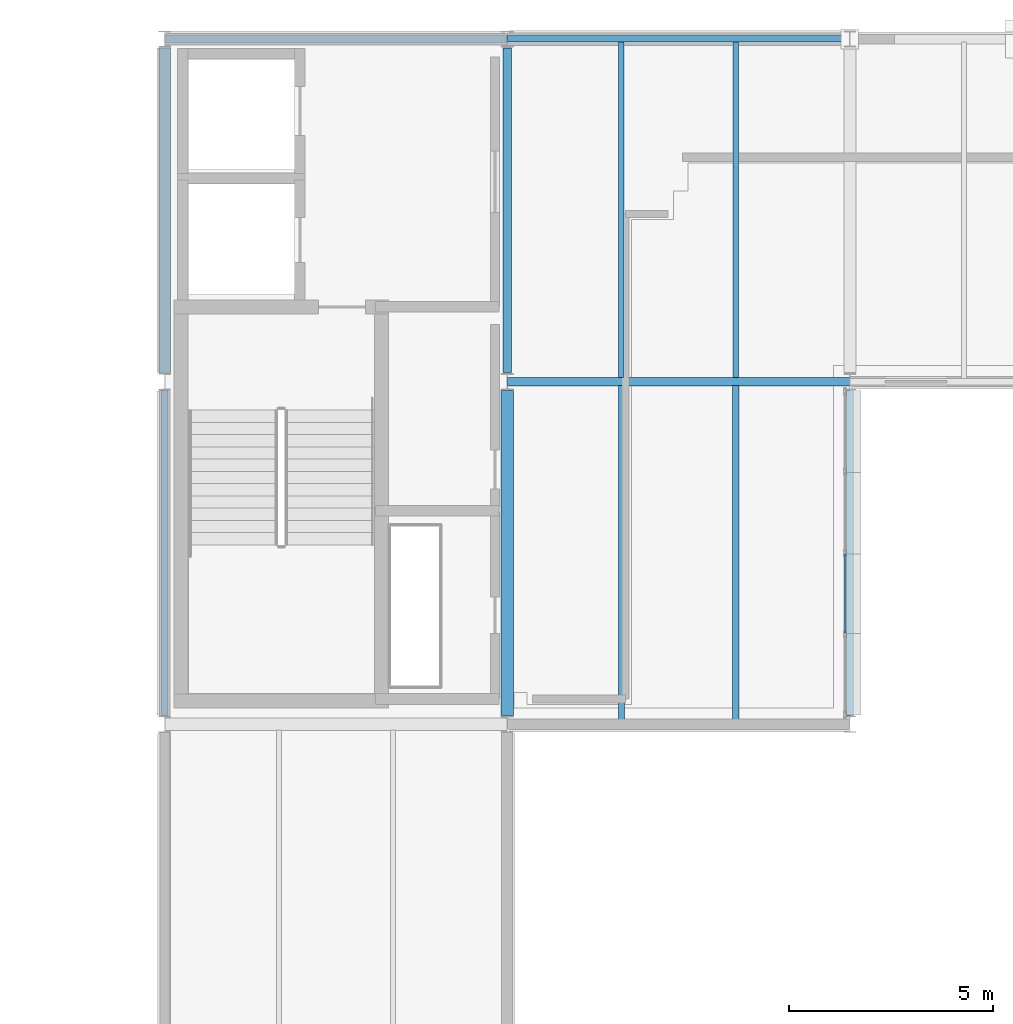
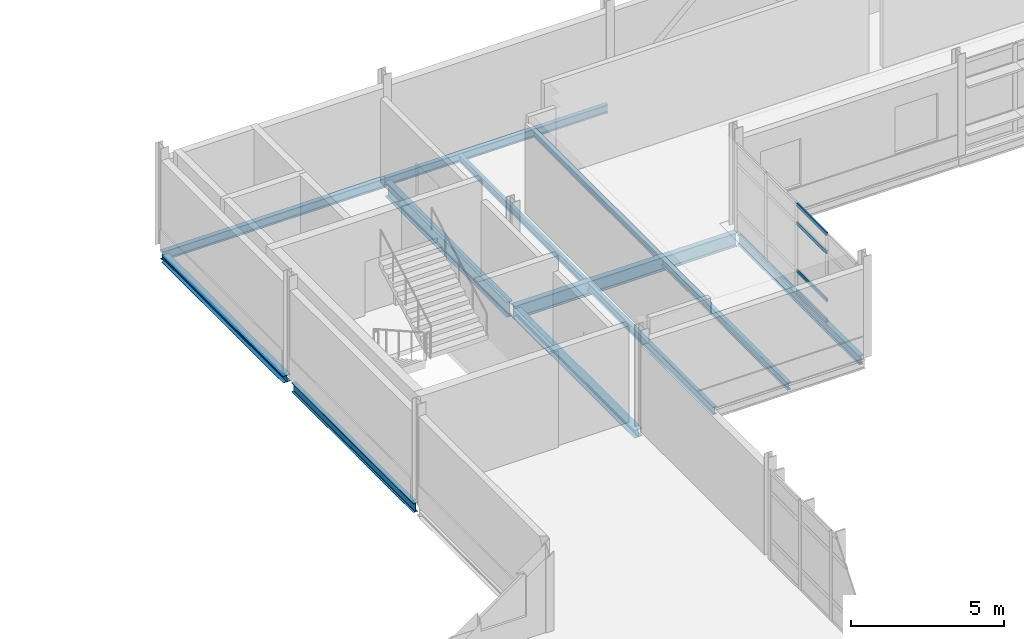
# One storey, part 25 of 103: 12 beams, 4 members, 1 element without a shape of its own.
"""IFC4 building model written with IfcOpenShell, lengths in metres."""

from ifc_helpers import new_model, si_unit, direction, frame, origin, origin_2d, place, context, subcontext, project, spatial, hollow_rectangle, i_section, extrude, material, material_profile, profile_set, type_object, element, aggregate, save


model = new_model("IFC4")

# Units and contexts
model_context = context("Model", 3, precision=1e-05, world=origin(), true_north=direction((0.0, 1.0)))
body_context = subcontext(model_context, "Body", "Model", "MODEL_VIEW")
ifc_project = project(units=[si_unit("LENGTHUNIT", "METRE"), si_unit("AREAUNIT", "SQUARE_METRE"), si_unit("VOLUMEUNIT", "CUBIC_METRE"), si_unit("PLANEANGLEUNIT", "RADIAN"), si_unit("MASSUNIT", "GRAM", prefix="KILO")], contexts=[model_context])

# Site, building, storey
site_placement = place(None, origin())
site = spatial("IfcSite", under=ifc_project, at=site_placement, CompositionType="ELEMENT")
building_placement = place(site_placement, origin())
building = spatial("IfcBuilding", under=site, at=building_placement, Name="Mersafa Astral City Hall", CompositionType="ELEMENT")
storey_placement = place(building_placement, frame((0.0, 0.0, 18.0)))
storey = spatial("IfcBuildingStorey", under=building, at=storey_placement, Name="L04", CompositionType="ELEMENT", Elevation=18.0)

# Curtain wall, members
ifc_material_1 = material(Name="Anodised bronze aluminium framing", Category="aluminium")
curtain_wall_type = type_object("IfcCurtainWallType", Name="ENV-CW-6", PredefinedType="USERDEFINED", material=ifc_material_1)
curtain_wall_placement = place(storey_placement, origin())
curtain_wall = element("IfcCurtainWall", 1, at=curtain_wall_placement, inside=storey, type_object=curtain_wall_type, Name="L04 Unitised solar curtain wall 203", ObjectType="UNITISED CURTAIN WALL", PredefinedType="USERDEFINED")
ifc_material_profile_1 = material_profile(ifc_material_1, hollow_rectangle(XDim=0.06005859375, YDim=0.139892578125, WallThickness=0.00390625, at=origin_2d()), Name="RHS 60x140x4")
ifc_profile_set_1 = profile_set([ifc_material_profile_1], Name="Anodised bronze aluminium framing")
member_type = type_object("IfcMemberType", Name="ENV-CW-TRN-1", PredefinedType="USERDEFINED", material=ifc_profile_set_1)
member_1_placement = place(storey_placement, frame((58.679931640625, 111.43603515625, 0.028076171875), z_axis=(0.0, 1.0, 0.0), x_axis=(-1.0, 0.0, 0.0)))
member_1 = element("IfcMember", 2, at=member_1_placement, type_object=member_type, Name="CW-6 transom 2.1", ObjectType="TRANSOM", PredefinedType="USERDEFINED", context=body_context, shape_type="SweptSolid", body=[
    extrude(hollow_rectangle(XDim=0.06005859375, YDim=0.139892578125, WallThickness=0.00390625, at=origin_2d()), origin(), (0.0, 0.0, 1.0), 1.93408203125),
])
member_2_placement = place(storey_placement, frame((58.679931640625, 111.43603515625, 0.85009765625), z_axis=(0.0, 1.0, 0.0), x_axis=(-1.0, 0.0, 0.0)))
member_2 = element("IfcMember", 3, at=member_2_placement, type_object=member_type, Name="CW-6 transom 2.2", ObjectType="TRANSOM", PredefinedType="USERDEFINED", context=body_context, shape_type="SweptSolid", body=[
    extrude(hollow_rectangle(XDim=0.06005859375, YDim=0.139892578125, WallThickness=0.00390625, at=origin_2d()), origin(), (0.0, 0.0, 1.0), 1.93408203125),
])
member_3_placement = place(storey_placement, frame((58.679931640625, 111.43603515625, 2.75), z_axis=(0.0, 1.0, 0.0), x_axis=(-1.0, 0.0, 0.0)))
member_3 = element("IfcMember", 4, at=member_3_placement, type_object=member_type, Name="CW-6 transom 2.3", ObjectType="TRANSOM", PredefinedType="USERDEFINED", context=body_context, shape_type="SweptSolid", body=[
    extrude(hollow_rectangle(XDim=0.06005859375, YDim=0.139892578125, WallThickness=0.00390625, at=origin_2d()), origin(), (0.0, 0.0, 1.0), 1.93408203125),
])
member_4_placement = place(storey_placement, frame((58.679931640625, 111.43603515625, 3.47705078125), z_axis=(0.0, 1.0, 0.0), x_axis=(-1.0, 0.0, 0.0)))
member_4 = element("IfcMember", 5, at=member_4_placement, type_object=member_type, Name="CW-6 transom 2.4", ObjectType="TRANSOM", PredefinedType="USERDEFINED", context=body_context, shape_type="SweptSolid", body=[
    extrude(hollow_rectangle(XDim=0.06005859375, YDim=0.139892578125, WallThickness=0.00390625, at=origin_2d()), origin(), (0.0, 0.0, 1.0), 1.93408203125),
])
aggregate(curtain_wall, [member_1, member_2, member_3, member_4])

# Beams
ifc_material_2 = material(Name="Steel S355", Category="steel")
ifc_material_profile_2 = material_profile(ifc_material_2, i_section(OverallWidth=0.300048828125, OverallDepth=0.31005859375, WebThickness=0.009033203125, FlangeThickness=0.015380859375, FilletRadius=0.027099609375, at=origin_2d()), Name="HEA 320")
ifc_profile_set_2 = profile_set([ifc_material_profile_2], Name="Steel S355")
beam_type_1 = type_object("IfcBeamType", Name="STR-BM-HEA320", PredefinedType="BEAM", material=ifc_profile_set_2)
beam_1_placement = place(storey_placement, frame((50.39990234375, 109.419921875, -0.340087890625), z_axis=(0.0, 1.0, 0.0), x_axis=(-1.0, 0.0, 0.0)))
element("IfcBeam", 6, at=beam_1_placement, inside=storey, type_object=beam_type_1, Name="L04 Primary girder Y 6-13", PredefinedType="BEAM", context=body_context, shape_type="SweptSolid", body=[
    extrude(i_section(OverallWidth=0.300048828125, OverallDepth=0.31005859375, WebThickness=0.009033203125, FlangeThickness=0.015380859375, FilletRadius=0.027099609375, at=origin_2d()), origin(), (0.0, 0.0, 1.0), 7.9599609375),
])
ifc_material_profile_3 = material_profile(ifc_material_2, i_section(OverallWidth=0.2099609375, OverallDepth=0.550048828125, WebThickness=0.010986328125, FlangeThickness=0.01708984375, FilletRadius=0.02392578125, at=origin_2d()), Name="IPE 550")
ifc_profile_set_3 = profile_set([ifc_material_profile_3], Name="Steel S355")
beam_type_2 = type_object("IfcBeamType", Name="STR-BM-IPE550", PredefinedType="BEAM", material=ifc_profile_set_3)
beam_2_placement = place(storey_placement, frame((50.403076171875, 117.60009765625, -0.4599609375), z_axis=(1.0, 0.0, 0.0), x_axis=(0.0, 1.0, 0.0)))
element("IfcBeam", 7, at=beam_2_placement, inside=storey, type_object=beam_type_2, Name="L04 Primary girder X 6-14", PredefinedType="BEAM", context=body_context, shape_type="SweptSolid", body=[
    extrude(i_section(OverallWidth=0.2099609375, OverallDepth=0.550048828125, WebThickness=0.010986328125, FlangeThickness=0.01708984375, FilletRadius=0.02392578125, at=origin_2d()), origin(), (0.0, 0.0, 1.0), 8.39404296875),
])
ifc_material_profile_4 = material_profile(ifc_material_2, i_section(OverallWidth=0.219970703125, OverallDepth=0.60009765625, WebThickness=0.011962890625, FlangeThickness=0.01904296875, FilletRadius=0.02392578125, at=origin_2d()), Name="IPE 600")
ifc_profile_set_4 = profile_set([ifc_material_profile_4], Name="Steel S355")
beam_type_3 = type_object("IfcBeamType", Name="STR-BM-IPE600", PredefinedType="BEAM", material=ifc_profile_set_4)
beam_3_placement = place(storey_placement, frame((50.39990234375, 117.820068359375, -0.485107421875), z_axis=(0.0, 1.0, 0.0), x_axis=(-1.0, 0.0, 0.0)))
element("IfcBeam", 8, at=beam_3_placement, inside=storey, type_object=beam_type_3, Name="L04 Primary girder Y 6-14", PredefinedType="BEAM", context=body_context, shape_type="SweptSolid", body=[
    extrude(i_section(OverallWidth=0.219970703125, OverallDepth=0.60009765625, WebThickness=0.011962890625, FlangeThickness=0.01904296875, FilletRadius=0.02392578125, at=origin_2d()), origin(), (0.0, 0.0, 1.0), 7.9599609375),
])
ifc_material_profile_5 = material_profile(ifc_material_2, i_section(OverallWidth=0.135009765625, OverallDepth=0.27001953125, WebThickness=0.006591796875, FlangeThickness=0.01025390625, FilletRadius=0.014892578125, at=origin_2d()), Name="IPE 270")
ifc_profile_set_5 = profile_set([ifc_material_profile_5], Name="Steel S355")
beam_type_4 = type_object("IfcBeamType", Name="STR-BM-JOIST-IPE270", PredefinedType="JOIST", material=ifc_profile_set_5)
for number, where, z_axis, x_axis, name in (
    (9, (53.199951171875, 117.699951171875, -0.320068359375), (0.0, 1.0, 0.0), (-1.0, 0.0, 0.0), "L04 Composite secondary floor joist 700"),
    (10, (56.0, 117.699951171875, -0.320068359375), (0.0, 1.0, 0.0), (-1.0, 0.0, 0.0), "L04 Composite secondary floor joist 701"),
):
    element("IfcBeam", number, at=place(storey_placement, frame(where, z_axis=z_axis, x_axis=x_axis)), inside=storey, type_object=beam_type_4, Name=name, PredefinedType="JOIST", context=body_context, shape_type="SweptSolid", body=[
        extrude(i_section(OverallWidth=0.135009765625, OverallDepth=0.27001953125, WebThickness=0.006591796875, FlangeThickness=0.01025390625, FilletRadius=0.014892578125, at=origin_2d()), origin(), (0.0, 0.0, 1.0), 8.22509765625),
    ])
ifc_material_profile_6 = material_profile(ifc_material_2, i_section(OverallWidth=0.14990234375, OverallDepth=0.300048828125, WebThickness=0.007080078125, FlangeThickness=0.0107421875, FilletRadius=0.014892578125, at=origin_2d()), Name="IPE 300")
ifc_profile_set_6 = profile_set([ifc_material_profile_6], Name="Steel S355")
beam_type_5 = type_object("IfcBeamType", Name="STR-BM-JOIST-IPE300", PredefinedType="JOIST", material=ifc_profile_set_6)
for number, where, z_axis, x_axis, name in (
    (11, (53.199951171875, 109.27490234375, -0.3349609375), (0.0, 1.0, 0.0), (-1.0, 0.0, 0.0), "L04 Composite secondary floor joist 698"),
    (12, (56.0, 109.27490234375, -0.3349609375), (0.0, 1.0, 0.0), (-1.0, 0.0, 0.0), "L04 Composite secondary floor joist 699"),
):
    element("IfcBeam", number, at=place(storey_placement, frame(where, z_axis=z_axis, x_axis=x_axis)), inside=storey, type_object=beam_type_5, Name=name, PredefinedType="JOIST", context=body_context, shape_type="SweptSolid", body=[
        extrude(i_section(OverallWidth=0.14990234375, OverallDepth=0.300048828125, WebThickness=0.007080078125, FlangeThickness=0.0107421875, FilletRadius=0.014892578125, at=origin_2d()), origin(), (0.0, 0.0, 1.0), 8.22509765625),
    ])
ifc_material_profile_7 = material_profile(ifc_material_2, i_section(OverallWidth=0.280029296875, OverallDepth=0.27001953125, WebThickness=0.008056640625, FlangeThickness=0.012939453125, FilletRadius=0.02392578125, at=origin_2d()), Name="HEA 280")
ifc_profile_set_7 = profile_set([ifc_material_profile_7], Name="Steel S355")
beam_type_6 = type_object("IfcBeamType", Name="STR-BM-SPANDREL-HEA280", PredefinedType="SPANDREL", material=ifc_profile_set_7)
beam_4_placement = place(storey_placement, frame((42.0, 117.820068359375, -0.320068359375), z_axis=(0.0, 1.0, 0.0), x_axis=(-1.0, 0.0, 0.0)))
element("IfcBeam", 13, at=beam_4_placement, inside=storey, type_object=beam_type_6, Name="L04 Primary girder Y 5-14", PredefinedType="SPANDREL", context=body_context, shape_type="SweptSolid", body=[
    extrude(i_section(OverallWidth=0.280029296875, OverallDepth=0.27001953125, WebThickness=0.008056640625, FlangeThickness=0.012939453125, FilletRadius=0.02392578125, at=origin_2d()), origin(), (0.0, 0.0, 1.0), 7.9599609375),
])
ifc_material_profile_8 = material_profile(ifc_material_2, i_section(OverallWidth=0.159912109375, OverallDepth=0.330078125, WebThickness=0.007568359375, FlangeThickness=0.011474609375, FilletRadius=0.01806640625, at=origin_2d()), Name="IPE 330")
ifc_profile_set_8 = profile_set([ifc_material_profile_8], Name="Steel S355")
beam_type_7 = type_object("IfcBeamType", Name="STR-BM-SPANDREL-IPE330", PredefinedType="SPANDREL", material=ifc_profile_set_8)
beam_5_placement = place(storey_placement, frame((50.403076171875, 126.0, -0.35009765625), z_axis=(1.0, 0.0, 0.0), x_axis=(0.0, 1.0, 0.0)))
element("IfcBeam", 14, at=beam_5_placement, inside=storey, type_object=beam_type_7, Name="L04 Primary girder X 6-15", PredefinedType="SPANDREL", context=body_context, shape_type="SweptSolid", body=[
    extrude(i_section(OverallWidth=0.159912109375, OverallDepth=0.330078125, WebThickness=0.007568359375, FlangeThickness=0.011474609375, FilletRadius=0.01806640625, at=origin_2d()), origin(), (0.0, 0.0, 1.0), 8.39404296875),
])
ifc_material_profile_9 = material_profile(ifc_material_2, i_section(OverallWidth=0.169921875, OverallDepth=0.360107421875, WebThickness=0.008056640625, FlangeThickness=0.0126953125, FilletRadius=0.01806640625, at=origin_2d()), Name="IPE 360")
ifc_profile_set_9 = profile_set([ifc_material_profile_9], Name="Steel S355")
beam_type_8 = type_object("IfcBeamType", Name="STR-BM-SPANDREL-IPE360", PredefinedType="SPANDREL", material=ifc_profile_set_9)
beam_6_placement = place(storey_placement, frame((42.0029296875, 126.0, -0.364990234375), z_axis=(1.0, 0.0, 0.0), x_axis=(0.0, 1.0, 0.0)))
element("IfcBeam", 15, at=beam_6_placement, inside=storey, type_object=beam_type_8, Name="L04 Primary girder X 5-15", PredefinedType="SPANDREL", context=body_context, shape_type="SweptSolid", body=[
    extrude(i_section(OverallWidth=0.169921875, OverallDepth=0.360107421875, WebThickness=0.008056640625, FlangeThickness=0.0126953125, FilletRadius=0.01806640625, at=origin_2d()), origin(), (0.0, 0.0, 1.0), 8.39404296875),
])
for number, where, z_axis, x_axis, name in (
    (16, (42.0, 109.419921875, -0.364990234375), (0.0, 1.0, 0.0), (-1.0, 0.0, 0.0), "L04 Primary girder Y 5-13"),
    (17, (58.800048828125, 109.419921875, -0.364990234375), (0.0, 1.0, 0.0), (-1.0, 0.0, 0.0), "L04 Primary girder Y 7-13"),
):
    element("IfcBeam", number, at=place(storey_placement, frame(where, z_axis=z_axis, x_axis=x_axis)), inside=storey, type_object=beam_type_8, Name=name, PredefinedType="SPANDREL", context=body_context, shape_type="SweptSolid", body=[
        extrude(i_section(OverallWidth=0.169921875, OverallDepth=0.360107421875, WebThickness=0.008056640625, FlangeThickness=0.0126953125, FilletRadius=0.01806640625, at=origin_2d()), origin(), (0.0, 0.0, 1.0), 7.9599609375),
    ])

save(model, "model.ifc")
